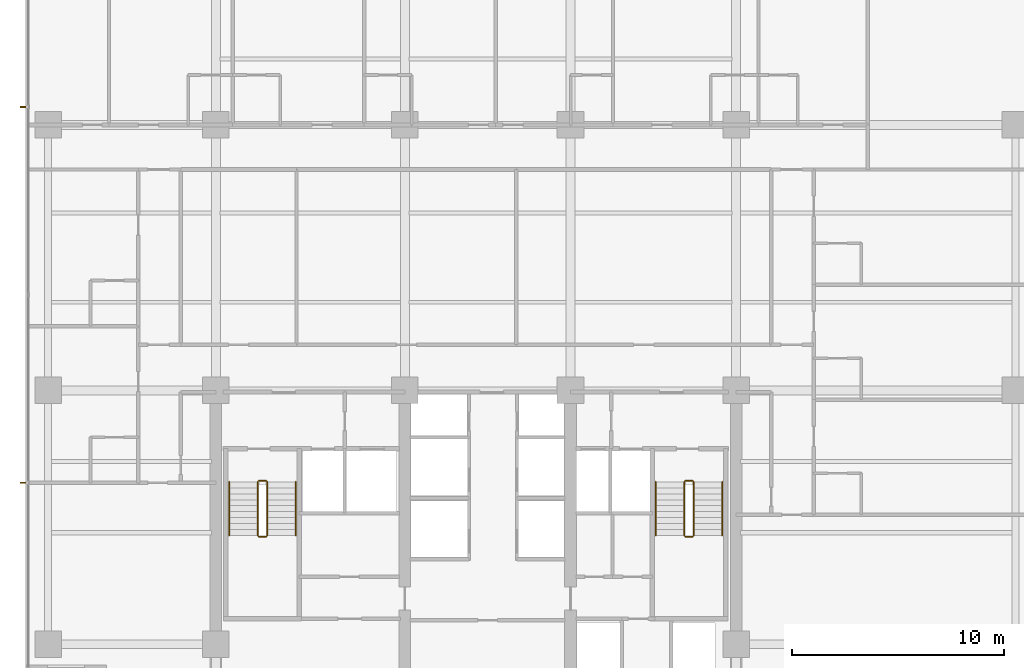
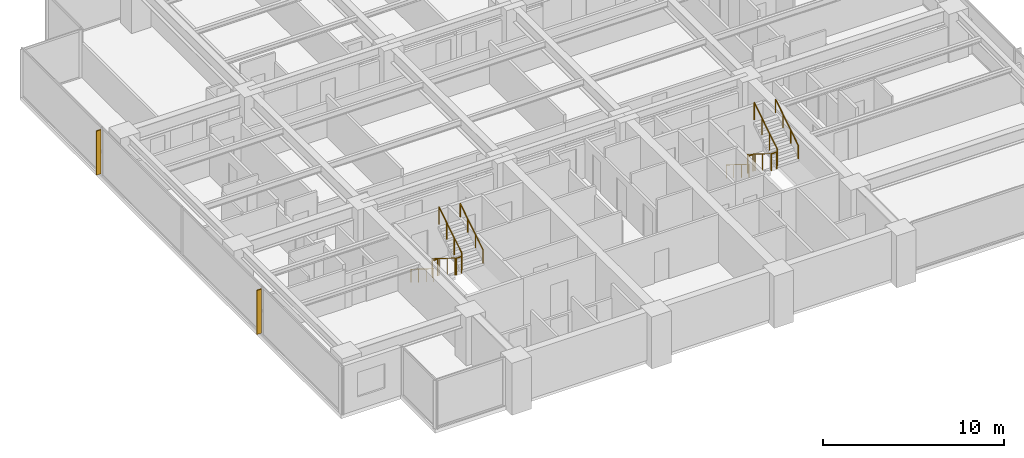
# One storey, part 16 of 17: 12 railings, 2 shading devices.
"""IFC4 building model written with IfcOpenShell, lengths in metres."""

from ifc_helpers import new_model, si_unit, direction, frame, origin, origin_2d, place, context, subcontext, project, spatial, polyline, circle, outline, extrude, material, layer, layer_set, type_object, element, save


model = new_model("IFC4")

# Units and contexts
model_context = context("Model", 3, precision=1e-05, world=origin(), true_north=direction((0.0, 1.0)))
body_context = subcontext(model_context, "Body", "Model", "MODEL_VIEW")
ifc_project = project(units=[si_unit("LENGTHUNIT", "METRE"), si_unit("AREAUNIT", "SQUARE_METRE"), si_unit("VOLUMEUNIT", "CUBIC_METRE"), si_unit("PLANEANGLEUNIT", "RADIAN"), si_unit("MASSUNIT", "GRAM", prefix="KILO")], contexts=[model_context])

# Site, building, storey
site_placement = place(None, origin())
site = spatial("IfcSite", under=ifc_project, at=site_placement, CompositionType="ELEMENT")
building_placement = place(site_placement, origin())
building = spatial("IfcBuilding", under=site, at=building_placement, Name="Qalmaran Belvedere Hotel", CompositionType="ELEMENT")
storey_placement = place(building_placement, frame((0.0, 0.0, 102.199951171875)))
storey = spatial("IfcBuildingStorey", under=building, at=storey_placement, Name="L25", CompositionType="ELEMENT", Elevation=102.199951171875)

# Shading devices
ifc_material_1 = material(Name="Anodised Bronze Aluminium", Category="aluminium")
ifc_layer = layer(ifc_material_1, 0.06494140625, Name="Anodised Bronze Aluminium")
ifc_layer_set = layer_set([ifc_layer], Name="Anodised Bronze Aluminium")
shading_device_type = type_object("IfcShadingDeviceType", Name="FIN-BRNZ-300", PredefinedType="USERDEFINED", material=ifc_layer_set)
shading_device_1_placement = place(storey_placement, frame((0.0, 0.0, 0.16015625)))
element("IfcShadingDevice", 1, at=shading_device_1_placement, inside=storey, type_object=shading_device_type, Name="L25 Bronze Fin 1", ObjectType="FIN", PredefinedType="USERDEFINED", context=body_context, shape_type="SweptSolid", body=[
    extrude(outline(polyline([(11.3798828125, 33.882568359375), (11.080078125, 33.882568359375), (11.080078125, 33.8173828125), (11.3798828125, 33.8173828125), (11.3798828125, 33.882568359375)])), origin(), (0.0, 0.0, 1.0), 2.9599609375),
])
shading_device_2_placement = place(storey_placement, frame((0.0, 0.0, 0.16015625)))
element("IfcShadingDevice", 2, at=shading_device_2_placement, inside=storey, type_object=shading_device_type, Name="L25 Bronze Fin 3", ObjectType="FIN", PredefinedType="USERDEFINED", context=body_context, shape_type="SweptSolid", body=[
    extrude(outline(polyline([(11.3798828125, 16.1826171875), (11.080078125, 16.1826171875), (11.080078125, 16.117431640625), (11.3798828125, 16.117431640625), (11.3798828125, 16.1826171875)])), origin(), (0.0, 0.0, 1.0), 2.9599609375),
])

# Railings
ifc_material_2 = material(Name="Stainless Steel 1.4401", Category="steel")
railing_type_1 = type_object("IfcRailingType", Name="RLG-STAIR-GUARD-1150", PredefinedType="GUARDRAIL", material=ifc_material_2)
railing_1_placement = place(storey_placement, frame((22.280029296875, 16.18994140625, 0.175048828125)))
element("IfcRailing", 3, at=railing_1_placement, inside=storey, type_object=railing_type_1, Name="L25 ST-1 stair guard 1", PredefinedType="GUARDRAIL", context=body_context, shape_type="SweptSolid", body=[
    extrude(circle(Radius=0.02392578125, at=origin_2d()), frame((0.0, 0.0, 1.1259765625), z_axis=(0.0, -0.848007534815, 0.529984170421), x_axis=(1.0, 0.0, 0.0)), (0.0, 0.0, 1.0), 2.9716796875),
    extrude(circle(Radius=0.02099609375, at=origin_2d()), origin(), (0.0, 0.0, 1.0), 1.101806640625),
    extrude(circle(Radius=0.02099609375, at=origin_2d()), frame((0.0, -0.840087890625, 0.52490234375)), (0.0, 0.0, 1.0), 1.101806640625),
    extrude(circle(Radius=0.02099609375, at=origin_2d()), frame((0.0, -1.679931640625, 1.050048828125)), (0.0, 0.0, 1.0), 1.101806640625),
    extrude(circle(Radius=0.02099609375, at=origin_2d()), frame((0.0, -2.52001953125, 1.574951171875)), (0.0, 0.0, 1.0), 1.101806640625),
])
railing_2_placement = place(storey_placement, frame((22.330078125, 13.6201171875, 1.75)))
element("IfcRailing", 4, at=railing_2_placement, inside=storey, type_object=railing_type_1, Name="L25 ST-1 stair guard 2", PredefinedType="GUARDRAIL", context=body_context, shape_type="SweptSolid", body=[
    extrude(circle(Radius=0.02392578125, at=origin_2d()), frame((0.0, 0.0, 1.1259765625), z_axis=(1.0, 0.0, 0.0), x_axis=(0.0, 1.0, 0.0)), (0.0, 0.0, 1.0), 0.33984375),
    extrude(circle(Radius=0.02099609375, at=origin_2d()), origin(), (0.0, 0.0, 1.0), 1.101806640625),
    extrude(circle(Radius=0.02099609375, at=origin_2d()), frame((0.33984375, 0.0, 0.0)), (0.0, 0.0, 1.0), 1.101806640625),
])
railing_3_placement = place(storey_placement, frame((22.719970703125, 13.669921875, 1.925048828125)))
element("IfcRailing", 5, at=railing_3_placement, inside=storey, type_object=railing_type_1, Name="L25 ST-1 stair guard 3", PredefinedType="GUARDRAIL", context=body_context, shape_type="SweptSolid", body=[
    extrude(circle(Radius=0.02392578125, at=origin_2d()), frame((0.0, 0.0, 1.1259765625), z_axis=(0.0, 0.848007534815, 0.529984170421), x_axis=(-1.0, 0.0, 0.0)), (0.0, 0.0, 1.0), 2.9716796875),
    extrude(circle(Radius=0.02099609375, at=origin_2d()), origin(), (0.0, 0.0, 1.0), 1.101806640625),
    extrude(circle(Radius=0.02099609375, at=origin_2d()), frame((0.0, 0.840087890625, 0.52490234375)), (0.0, 0.0, 1.0), 1.101806640625),
    extrude(circle(Radius=0.02099609375, at=origin_2d()), frame((0.0, 1.679931640625, 1.050048828125)), (0.0, 0.0, 1.0), 1.101806640625),
    extrude(circle(Radius=0.02099609375, at=origin_2d()), frame((0.0, 2.52001953125, 1.574951171875)), (0.0, 0.0, 1.0), 1.101806640625),
])
railing_4_placement = place(storey_placement, frame((22.330078125, 16.239990234375, 0.0)))
element("IfcRailing", 6, at=railing_4_placement, inside=storey, type_object=railing_type_1, Name="L25 ST-1 stair guard 4", PredefinedType="GUARDRAIL", context=body_context, shape_type="SweptSolid", body=[
    extrude(circle(Radius=0.02392578125, at=origin_2d()), frame((0.0, 0.0, 1.1259765625), z_axis=(1.0, 0.0, 0.0), x_axis=(0.0, 1.0, 0.0)), (0.0, 0.0, 1.0), 0.33984375),
    extrude(circle(Radius=0.02099609375, at=origin_2d()), origin(), (0.0, 0.0, 1.0), 1.101806640625),
    extrude(circle(Radius=0.02099609375, at=origin_2d()), frame((0.33984375, 0.0, 0.0)), (0.0, 0.0, 1.0), 1.101806640625),
])
railing_5_placement = place(storey_placement, frame((42.360107421875, 16.18994140625, 0.175048828125)))
element("IfcRailing", 7, at=railing_5_placement, inside=storey, type_object=railing_type_1, Name="L25 ST-2 stair guard 1", PredefinedType="GUARDRAIL", context=body_context, shape_type="SweptSolid", body=[
    extrude(circle(Radius=0.02392578125, at=origin_2d()), frame((0.0, 0.0, 1.1259765625), z_axis=(0.0, -0.848007534815, 0.529984170421), x_axis=(1.0, 0.0, 0.0)), (0.0, 0.0, 1.0), 2.9716796875),
    extrude(circle(Radius=0.02099609375, at=origin_2d()), origin(), (0.0, 0.0, 1.0), 1.101806640625),
    extrude(circle(Radius=0.02099609375, at=origin_2d()), frame((0.0, -0.840087890625, 0.52490234375)), (0.0, 0.0, 1.0), 1.101806640625),
    extrude(circle(Radius=0.02099609375, at=origin_2d()), frame((0.0, -1.679931640625, 1.050048828125)), (0.0, 0.0, 1.0), 1.101806640625),
    extrude(circle(Radius=0.02099609375, at=origin_2d()), frame((0.0, -2.52001953125, 1.574951171875)), (0.0, 0.0, 1.0), 1.101806640625),
])
railing_6_placement = place(storey_placement, frame((42.409912109375, 13.6201171875, 1.75)))
element("IfcRailing", 8, at=railing_6_placement, inside=storey, type_object=railing_type_1, Name="L25 ST-2 stair guard 2", PredefinedType="GUARDRAIL", context=body_context, shape_type="SweptSolid", body=[
    extrude(circle(Radius=0.02392578125, at=origin_2d()), frame((0.0, 0.0, 1.1259765625), z_axis=(1.0, 0.0, 0.0), x_axis=(0.0, 1.0, 0.0)), (0.0, 0.0, 1.0), 0.340087890625),
    extrude(circle(Radius=0.02099609375, at=origin_2d()), origin(), (0.0, 0.0, 1.0), 1.101806640625),
    extrude(circle(Radius=0.02099609375, at=origin_2d()), frame((0.340087890625, 0.0, 0.0)), (0.0, 0.0, 1.0), 1.101806640625),
])
railing_7_placement = place(storey_placement, frame((42.800048828125, 13.669921875, 1.925048828125)))
element("IfcRailing", 9, at=railing_7_placement, inside=storey, type_object=railing_type_1, Name="L25 ST-2 stair guard 3", PredefinedType="GUARDRAIL", context=body_context, shape_type="SweptSolid", body=[
    extrude(circle(Radius=0.02392578125, at=origin_2d()), frame((0.0, 0.0, 1.1259765625), z_axis=(0.0, 0.848007534815, 0.529984170421), x_axis=(-1.0, 0.0, 0.0)), (0.0, 0.0, 1.0), 2.9716796875),
    extrude(circle(Radius=0.02099609375, at=origin_2d()), origin(), (0.0, 0.0, 1.0), 1.101806640625),
    extrude(circle(Radius=0.02099609375, at=origin_2d()), frame((0.0, 0.840087890625, 0.52490234375)), (0.0, 0.0, 1.0), 1.101806640625),
    extrude(circle(Radius=0.02099609375, at=origin_2d()), frame((0.0, 1.679931640625, 1.050048828125)), (0.0, 0.0, 1.0), 1.101806640625),
    extrude(circle(Radius=0.02099609375, at=origin_2d()), frame((0.0, 2.52001953125, 1.574951171875)), (0.0, 0.0, 1.0), 1.101806640625),
])
railing_8_placement = place(storey_placement, frame((42.409912109375, 16.239990234375, 0.0)))
element("IfcRailing", 10, at=railing_8_placement, inside=storey, type_object=railing_type_1, Name="L25 ST-2 stair guard 4", PredefinedType="GUARDRAIL", context=body_context, shape_type="SweptSolid", body=[
    extrude(circle(Radius=0.02392578125, at=origin_2d()), frame((0.0, 0.0, 1.1259765625), z_axis=(1.0, 0.0, 0.0), x_axis=(0.0, 1.0, 0.0)), (0.0, 0.0, 1.0), 0.340087890625),
    extrude(circle(Radius=0.02099609375, at=origin_2d()), origin(), (0.0, 0.0, 1.0), 1.101806640625),
    extrude(circle(Radius=0.02099609375, at=origin_2d()), frame((0.340087890625, 0.0, 0.0)), (0.0, 0.0, 1.0), 1.101806640625),
])
railing_type_2 = type_object("IfcRailingType", Name="RLG-STAIR-HAND-910", PredefinedType="HANDRAIL", material=ifc_material_2)
railing_9_placement = place(storey_placement, frame((20.929931640625, 16.18994140625, 0.175048828125)))
element("IfcRailing", 11, at=railing_9_placement, inside=storey, type_object=railing_type_2, Name="L25 ST-1 stair handrail 1", PredefinedType="HANDRAIL", context=body_context, shape_type="SweptSolid", body=[
    extrude(circle(Radius=0.02392578125, at=origin_2d()), frame((0.0, 0.0, 0.8857421875), z_axis=(0.0, -0.848007534815, 0.529984170421), x_axis=(1.0, 0.0, 0.0)), (0.0, 0.0, 1.0), 2.9716796875),
    extrude(circle(Radius=0.02099609375, at=origin_2d()), origin(), (0.0, 0.0, 1.0), 0.86181640625),
    extrude(circle(Radius=0.02099609375, at=origin_2d()), frame((0.0, -0.840087890625, 0.52490234375)), (0.0, 0.0, 1.0), 0.86181640625),
    extrude(circle(Radius=0.02099609375, at=origin_2d()), frame((0.0, -1.679931640625, 1.050048828125)), (0.0, 0.0, 1.0), 0.86181640625),
    extrude(circle(Radius=0.02099609375, at=origin_2d()), frame((0.0, -2.52001953125, 1.574951171875)), (0.0, 0.0, 1.0), 0.86181640625),
])
railing_10_placement = place(storey_placement, frame((24.070068359375, 13.669921875, 1.925048828125)))
element("IfcRailing", 12, at=railing_10_placement, inside=storey, type_object=railing_type_2, Name="L25 ST-1 stair handrail 2", PredefinedType="HANDRAIL", context=body_context, shape_type="SweptSolid", body=[
    extrude(circle(Radius=0.02392578125, at=origin_2d()), frame((0.0, 0.0, 0.8857421875), z_axis=(0.0, 0.848007534815, 0.529984170421), x_axis=(-1.0, 0.0, 0.0)), (0.0, 0.0, 1.0), 2.9716796875),
    extrude(circle(Radius=0.02099609375, at=origin_2d()), origin(), (0.0, 0.0, 1.0), 0.86181640625),
    extrude(circle(Radius=0.02099609375, at=origin_2d()), frame((0.0, 0.840087890625, 0.52490234375)), (0.0, 0.0, 1.0), 0.86181640625),
    extrude(circle(Radius=0.02099609375, at=origin_2d()), frame((0.0, 1.679931640625, 1.050048828125)), (0.0, 0.0, 1.0), 0.86181640625),
    extrude(circle(Radius=0.02099609375, at=origin_2d()), frame((0.0, 2.52001953125, 1.574951171875)), (0.0, 0.0, 1.0), 0.86181640625),
])
railing_11_placement = place(storey_placement, frame((41.010009765625, 16.18994140625, 0.175048828125)))
element("IfcRailing", 13, at=railing_11_placement, inside=storey, type_object=railing_type_2, Name="L25 ST-2 stair handrail 1", PredefinedType="HANDRAIL", context=body_context, shape_type="SweptSolid", body=[
    extrude(circle(Radius=0.02392578125, at=origin_2d()), frame((0.0, 0.0, 0.8857421875), z_axis=(0.0, -0.848007534815, 0.529984170421), x_axis=(1.0, 0.0, 0.0)), (0.0, 0.0, 1.0), 2.9716796875),
    extrude(circle(Radius=0.02099609375, at=origin_2d()), origin(), (0.0, 0.0, 1.0), 0.86181640625),
    extrude(circle(Radius=0.02099609375, at=origin_2d()), frame((0.0, -0.840087890625, 0.52490234375)), (0.0, 0.0, 1.0), 0.86181640625),
    extrude(circle(Radius=0.02099609375, at=origin_2d()), frame((0.0, -1.679931640625, 1.050048828125)), (0.0, 0.0, 1.0), 0.86181640625),
    extrude(circle(Radius=0.02099609375, at=origin_2d()), frame((0.0, -2.52001953125, 1.574951171875)), (0.0, 0.0, 1.0), 0.86181640625),
])
railing_12_placement = place(storey_placement, frame((44.14990234375, 13.669921875, 1.925048828125)))
element("IfcRailing", 14, at=railing_12_placement, inside=storey, type_object=railing_type_2, Name="L25 ST-2 stair handrail 2", PredefinedType="HANDRAIL", context=body_context, shape_type="SweptSolid", body=[
    extrude(circle(Radius=0.02392578125, at=origin_2d()), frame((0.0, 0.0, 0.8857421875), z_axis=(0.0, 0.848007534815, 0.529984170421), x_axis=(-1.0, 0.0, 0.0)), (0.0, 0.0, 1.0), 2.9716796875),
    extrude(circle(Radius=0.02099609375, at=origin_2d()), origin(), (0.0, 0.0, 1.0), 0.86181640625),
    extrude(circle(Radius=0.02099609375, at=origin_2d()), frame((0.0, 0.840087890625, 0.52490234375)), (0.0, 0.0, 1.0), 0.86181640625),
    extrude(circle(Radius=0.02099609375, at=origin_2d()), frame((0.0, 1.679931640625, 1.050048828125)), (0.0, 0.0, 1.0), 0.86181640625),
    extrude(circle(Radius=0.02099609375, at=origin_2d()), frame((0.0, 2.52001953125, 1.574951171875)), (0.0, 0.0, 1.0), 0.86181640625),
])

save(model, "model.ifc")
